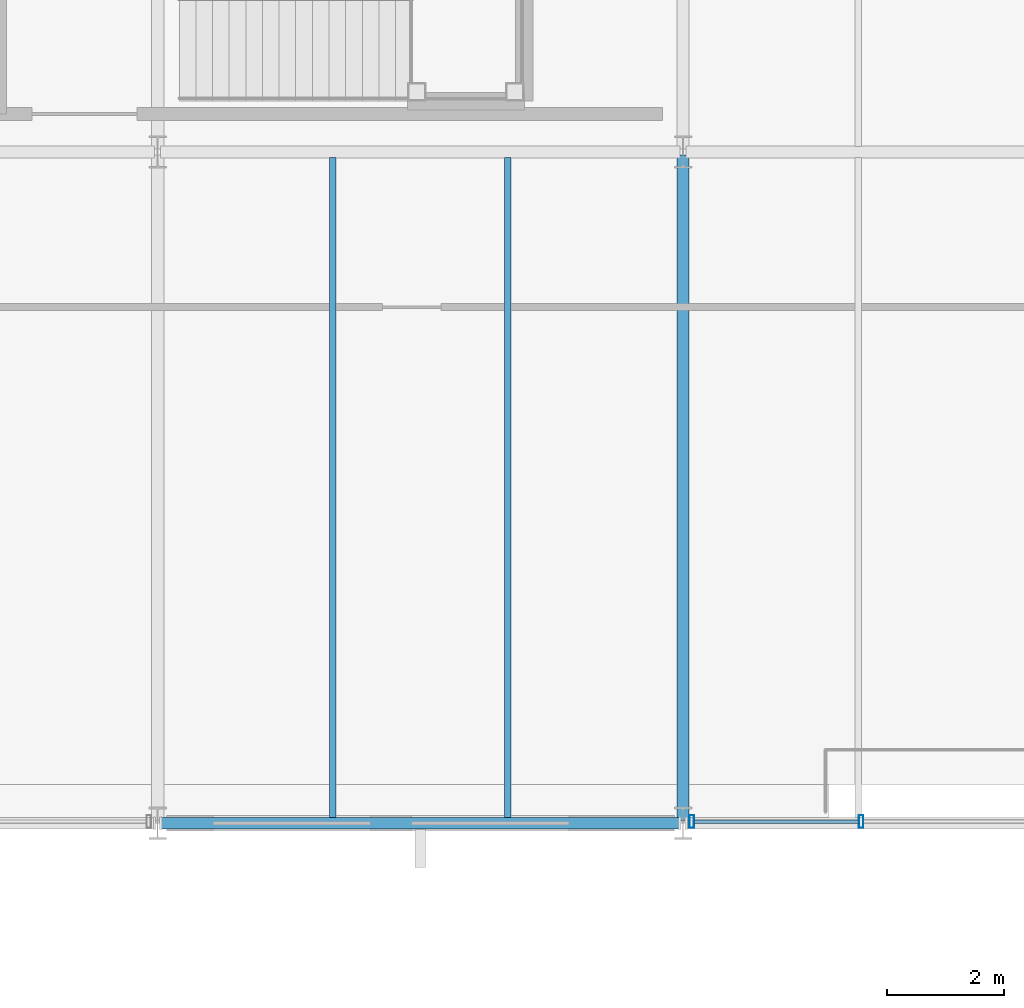
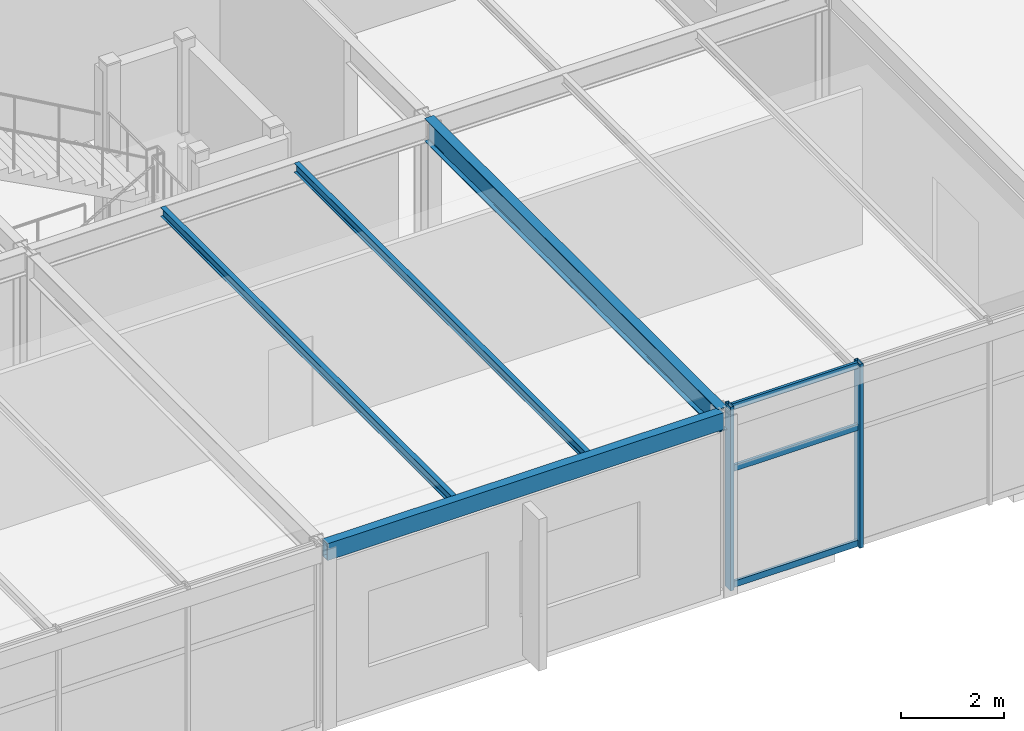
# One storey, part 11 of 44: 5 members, 4 beams, 1 element without a shape of its own.
"""IFC4 building model written with IfcOpenShell, lengths in metres."""

import ifcopenshell
import ifcopenshell.guid

model = None  # the IFC model being written
_history = None  # IfcOwnerHistory: only IFC2X3 demands one
_inside = {}  # id of a spatial element -> (the spatial element, [elements in it])
_under = {}  # id of a project, library or spatial element -> (it, [spatial elements below it])
_declared = {}  # id of a project -> (the project, [libraries it declares])
_typed = {}  # id of a type object -> (the type object, [elements of that type])
_made_of = {}  # id of a material, layer set ... -> (it, [elements and type objects made of it])


def new_model(schema):
    """Start an empty IFC model of exactly this schema.

    Asked for "IFC4X3", IfcOpenShell would pick the latest addendum, in which some entities
    have other attributes; the version numbers below select the first issue.
    IFC2X3 requires an IfcOwnerHistory on every rooted entity: one is made here for all.
    """
    global model, _history
    if schema == "IFC4X3":
        model = ifcopenshell.file(schema_version=(4, 3, 0, 0))
    else:
        model = ifcopenshell.file(schema=schema)
    _inside.clear()
    _under.clear()
    _declared.clear()
    _typed.clear()
    _made_of.clear()
    _history = None
    if model.schema == "IFC2X3":
        org = make("IfcOrganization", Name="unknown")
        user = make(
            "IfcPersonAndOrganization",
            ThePerson=make("IfcPerson", FamilyName="unknown"),
            TheOrganization=org,
        )
        app = make(
            "IfcApplication",
            ApplicationDeveloper=org,
            Version="unknown",
            ApplicationFullName="unknown",
            ApplicationIdentifier="unknown",
        )
        _history = make(
            "IfcOwnerHistory",
            OwningUser=user,
            OwningApplication=app,
            ChangeAction="ADDED",
            CreationDate=0,
        )
    return model


def make(cls, **values):
    """One entity of the class cls with the attributes given. An attribute that is None is left unset."""
    return model.create_entity(
        cls, **{name: value for name, value in values.items() if value is not None}
    )


def rooted(cls, **values):
    """An entity with a GlobalId (a new one), such as an element, a storey or a relation."""
    return make(cls, GlobalId=ifcopenshell.guid.new(), OwnerHistory=_history, **values)


def si_unit(unit_type, name, prefix=None):
    """IfcSIUnit, for example si_unit("LENGTHUNIT", "METRE", prefix="MILLI")."""
    return make("IfcSIUnit", UnitType=unit_type, Prefix=prefix, Name=name)


def assignment(units):
    """IfcUnitAssignment: the units of a project."""
    return None if units is None else make("IfcUnitAssignment", Units=units)


def point(xyz):
    """IfcCartesianPoint."""
    return None if xyz is None else make("IfcCartesianPoint", Coordinates=xyz)


def direction(xyz):
    """IfcDirection."""
    return None if xyz is None else make("IfcDirection", DirectionRatios=xyz)


def frame(location, z_axis=None, x_axis=None):
    """IfcAxis2Placement3D, a coordinate frame: its origin and axes. An axis left out is left unset."""
    return make(
        "IfcAxis2Placement3D",
        Location=point(location),
        Axis=direction(z_axis),
        RefDirection=direction(x_axis),
    )


def frame_2d(location, x_axis=None):
    """IfcAxis2Placement2D, a coordinate frame in the plane: its origin and x axis."""
    return make(
        "IfcAxis2Placement2D", Location=point(location), RefDirection=direction(x_axis)
    )


def origin():
    """The frame at (0, 0, 0) with its axes left unset."""
    return frame((0.0, 0.0, 0.0))


def origin_2d():
    """The frame at (0, 0) in the plane with its x axis left unset."""
    return frame_2d((0.0, 0.0))


def place(relative_to, where):
    """IfcLocalPlacement: puts the frame where relative to a parent placement (None: the world)."""
    return make(
        "IfcLocalPlacement", PlacementRelTo=relative_to, RelativePlacement=where
    )


def context(
    kind, dimensions, precision=None, world=None, true_north=None, identifier=None
):
    """IfcGeometricRepresentationContext, for example the 3D "Model" context."""
    return make(
        "IfcGeometricRepresentationContext",
        ContextIdentifier=identifier,
        ContextType=kind,
        CoordinateSpaceDimension=dimensions,
        Precision=precision,
        WorldCoordinateSystem=world,
        TrueNorth=true_north,
    )


def subcontext(parent, identifier, kind, view, scale=None):
    """IfcGeometricRepresentationSubContext, for example "Body" below "Model"."""
    return make(
        "IfcGeometricRepresentationSubContext",
        ContextIdentifier=identifier,
        ContextType=kind,
        ParentContext=parent,
        TargetScale=scale,
        TargetView=view,
    )


def project(units=None, contexts=None):
    """IfcProject with its units and contexts."""
    return rooted(
        "IfcProject",
        Name="project",
        RepresentationContexts=contexts,
        UnitsInContext=assignment(units),
    )


def spatial(cls, under=None, at=None, **own):
    """A site, building, storey or space (cls), placed at a placement, below another one or the project."""
    s = rooted(cls, ObjectPlacement=at, **own)
    if under is not None:
        _under.setdefault(under.id(), (under, []))[1].append(s)
    return s


def profile(cls, at=None, kind="AREA", **sizes):
    """A parametric profile (cls). Its sizes go by their IFC names, for example OverallWidth=200.0."""
    return make(cls, ProfileType=kind, Position=at, **sizes)


def hollow_rectangle(**sizes):
    """IfcRectangleHollowProfileDef."""
    return profile("IfcRectangleHollowProfileDef", **sizes)


def i_section(**sizes):
    """IfcIShapeProfileDef."""
    return profile("IfcIShapeProfileDef", **sizes)


def extrude(swept, where, along, depth):
    """IfcExtrudedAreaSolid: the profile swept, set in the frame where, extruded along a direction by depth."""
    return make(
        "IfcExtrudedAreaSolid",
        SweptArea=swept,
        Position=where,
        ExtrudedDirection=direction(along),
        Depth=depth,
    )


def shape(context_of_items, identifier, shape_type, items):
    """IfcShapeRepresentation: the items that make up one representation, for example the "Body"."""
    return make(
        "IfcShapeRepresentation",
        ContextOfItems=context_of_items,
        RepresentationIdentifier=identifier,
        RepresentationType=shape_type,
        Items=items,
    )


def material(Name=None, Category=None):
    """IfcMaterial."""
    return make("IfcMaterial", Name=Name, Category=Category)


def layer(
    of_material, thickness, ventilated=None, Name=None, Category=None, Priority=None
):
    """IfcMaterialLayer: one layer of a wall or slab, of a material (None: an air gap)."""
    return make(
        "IfcMaterialLayer",
        Material=of_material,
        LayerThickness=thickness,
        IsVentilated=ventilated,
        Name=Name,
        Category=Category,
        Priority=Priority,
    )


def layer_set(layers, Name=None):
    """IfcMaterialLayerSet."""
    return make("IfcMaterialLayerSet", MaterialLayers=layers, LayerSetName=Name)


def material_profile(
    of_material, cross_section, Name=None, Category=None, Priority=None
):
    """IfcMaterialProfile: a cross section and its material."""
    return make(
        "IfcMaterialProfile",
        Name=Name,
        Material=of_material,
        Profile=cross_section,
        Priority=Priority,
        Category=Category,
    )


def profile_set(profiles, Name=None, composite=None):
    """IfcMaterialProfileSet."""
    return make(
        "IfcMaterialProfileSet",
        Name=Name,
        MaterialProfiles=profiles,
        CompositeProfile=composite,
    )


def made_of(thing, what):
    """Note that an element or type object is made of a material, layer set ...; save() writes the relation."""
    if what is not None:
        _made_of.setdefault(what.id(), (what, []))[1].append(thing)
    return thing


def type_object(cls, material=None, **own):
    """A type object (cls), such as IfcWallType, which elements share."""
    return made_of(rooted(cls, **own), material)


def element(
    cls,
    number,
    at=None,
    inside=None,
    cuts=None,
    type_object=None,
    material=None,
    context=None,
    identifier="Body",
    shape_type=None,
    held_by="IfcProductDefinitionShape",
    body=None,
    shapes=None,
    **own,
):
    """One element of the class cls, such as IfcWall. Its Tag is "e" and its number.

    at: its placement. inside: the storey or other place that contains it. cuts: it is an
    opening in that element (IfcRelVoidsElement). A single representation is given by context,
    identifier, shape_type and body (its items); several are given by shapes. held_by: the class
    of the entity that holds the representations. save() writes the other relations.
    """
    e = rooted(cls, Tag="e%d" % number, ObjectPlacement=at, **own)
    if body is not None:
        shapes = [shape(context, identifier, shape_type, body)]
    if shapes is not None:
        e.Representation = make(held_by, Representations=shapes)
    if inside is not None:
        _inside.setdefault(inside.id(), (inside, []))[1].append(e)
    if cuts is not None:
        rooted(
            "IfcRelVoidsElement", RelatingBuildingElement=cuts, RelatedOpeningElement=e
        )
    if type_object is not None:
        _typed.setdefault(type_object.id(), (type_object, []))[1].append(e)
    return made_of(e, material)


def aggregate(whole, parts):
    """IfcRelAggregates: a whole, such as a stair, and the parts it consists of."""
    return rooted("IfcRelAggregates", RelatingObject=whole, RelatedObjects=parts)


def save(model, path):
    """Write the relations noted so far, then the file.

    IfcRelAggregates (storeys below a building ...), IfcRelContainedInSpatialStructure (elements
    in a storey), IfcRelDefinesByType, IfcRelAssociatesMaterial and IfcRelDeclares: one each for
    every whole, place, type object, material and project.
    """
    for whole, parts in _under.values():
        aggregate(whole, parts)
    for where, things in _inside.values():
        rooted(
            "IfcRelContainedInSpatialStructure",
            RelatedElements=things,
            RelatingStructure=where,
        )
    for kind, things in _typed.values():
        rooted("IfcRelDefinesByType", RelatedObjects=things, RelatingType=kind)
    for what, things in _made_of.values():
        rooted("IfcRelAssociatesMaterial", RelatedObjects=things, RelatingMaterial=what)
    for by, libraries in _declared.values():
        rooted("IfcRelDeclares", RelatingContext=by, RelatedDefinitions=libraries)
    model.write(path)


model = new_model("IFC4")

# Units and contexts
model_context = context("Model", 3, precision=1e-05, world=origin(), true_north=direction((0.0, 1.0)))
body_context = subcontext(model_context, "Body", "Model", "MODEL_VIEW")
ifc_project = project(units=[si_unit("LENGTHUNIT", "METRE"), si_unit("AREAUNIT", "SQUARE_METRE"), si_unit("VOLUMEUNIT", "CUBIC_METRE"), si_unit("PLANEANGLEUNIT", "RADIAN"), si_unit("MASSUNIT", "GRAM", prefix="KILO")], contexts=[model_context])

# Site, building, storey
site_placement = place(None, origin())
site = spatial("IfcSite", under=ifc_project, at=site_placement, CompositionType="ELEMENT")
building_placement = place(site_placement, origin())
building = spatial("IfcBuilding", under=site, at=building_placement, Name="Marlcrest Central Station", CompositionType="ELEMENT")
storey_placement = place(building_placement, frame((0.0, 0.0, 19.5)))
storey = spatial("IfcBuildingStorey", under=building, at=storey_placement, Name="L04", CompositionType="ELEMENT", Elevation=19.5)

# Beams
ifc_material_1 = material(Name="Steel S355", Category="steel")
ifc_material_profile_1 = material_profile(ifc_material_1, i_section(OverallWidth=0.2099609375, OverallDepth=0.550048828125, WebThickness=0.010986328125, FlangeThickness=0.01708984375, FilletRadius=0.02392578125, at=origin_2d()), Name="IPE 550")
ifc_profile_set_1 = profile_set([ifc_material_profile_1], Name="Steel S355")
beam_type_1 = type_object("IfcBeamType", Name="BM-06", PredefinedType="BEAM", material=ifc_profile_set_1)
beam_1_placement = place(storey_placement, frame((54.0, 99.050048828125, 4.0), z_axis=(0.0, 1.0, 0.0), x_axis=(-1.0, 0.0, 0.0)))
element("IfcBeam", 1, at=beam_1_placement, inside=storey, type_object=beam_type_1, Name="bm-BM-06-L04-00621", PredefinedType="BEAM", context=body_context, shape_type="SweptSolid", body=[
    extrude(i_section(OverallWidth=0.2099609375, OverallDepth=0.550048828125, WebThickness=0.010986328125, FlangeThickness=0.01708984375, FilletRadius=0.02392578125, at=origin_2d()), origin(), (0.0, 0.0, 1.0), 11.39990234375),
])
ifc_material_profile_2 = material_profile(ifc_material_1, i_section(OverallWidth=0.110107421875, OverallDepth=0.219970703125, WebThickness=0.005859375, FlangeThickness=0.00927734375, FilletRadius=0.011962890625, at=origin_2d()), Name="IPE 220")
ifc_profile_set_2 = profile_set([ifc_material_profile_2], Name="Steel S355")
beam_type_2 = type_object("IfcBeamType", Name="JS-02", PredefinedType="JOIST", material=ifc_profile_set_2)
for number, where, z_axis, x_axis, name in (
    (2, (48.0, 99.094970703125, 4.1650390625), (0.0, 1.0, 0.0), (-1.0, 0.0, 0.0), "bm-JS-02-L04-00657"),
    (3, (51.0, 99.094970703125, 4.1650390625), (0.0, 1.0, 0.0), (-1.0, 0.0, 0.0), "bm-JS-02-L04-00660"),
):
    element("IfcBeam", number, at=place(storey_placement, frame(where, z_axis=z_axis, x_axis=x_axis)), inside=storey, type_object=beam_type_2, Name=name, PredefinedType="JOIST", context=body_context, shape_type="SweptSolid", body=[
        extrude(i_section(OverallWidth=0.110107421875, OverallDepth=0.219970703125, WebThickness=0.005859375, FlangeThickness=0.00927734375, FilletRadius=0.011962890625, at=origin_2d()), origin(), (0.0, 0.0, 1.0), 11.31005859375),
    ])

# Curtain wall, members
ifc_material_2 = material(Name="Anodised aluminium and hurricane laminated glass", Category="aluminium")
ifc_layer = layer(ifc_material_2, 0.219970703125, Name="CW-U1")
ifc_layer_set = layer_set([ifc_layer], Name="Anodised aluminium and hurricane laminated glass")
curtain_wall_type = type_object("IfcCurtainWallType", Name="CW-U1", PredefinedType="USERDEFINED", material=ifc_layer_set)
curtain_wall_placement = place(storey_placement, origin())
curtain_wall = element("IfcCurtainWall", 4, at=curtain_wall_placement, inside=storey, type_object=curtain_wall_type, Name="cw-L04-0170", ObjectType="UNITISED_CURTAIN_WALL", PredefinedType="USERDEFINED")
ifc_material_3 = material(Name="Anodised aluminium 6063-T6", Category="aluminium")
ifc_material_profile_3 = material_profile(ifc_material_3, hollow_rectangle(XDim=0.080078125, YDim=0.219970703125, WallThickness=0.006103515625, at=origin_2d()), Name="AA-RHS 220x80x6")
ifc_profile_set_3 = profile_set([ifc_material_profile_3], Name="Anodised aluminium 6063-T6")
member_type_1 = type_object("IfcMemberType", Name="ML-01", PredefinedType="MULLION", material=ifc_profile_set_3)
member_1_placement = place(storey_placement, frame((57.050048828125, 99.030029296875, -0.030029296875), z_axis=(0.0, 0.0, 1.0), x_axis=(1.0, 0.0, 0.0)))
member_1 = element("IfcMember", 5, at=member_1_placement, type_object=member_type_1, Name="cw-L04-0170-ml-2", PredefinedType="MULLION", context=body_context, shape_type="SweptSolid", body=[
    extrude(hollow_rectangle(XDim=0.080078125, YDim=0.219970703125, WallThickness=0.006103515625, at=origin_2d()), origin(), (0.0, 0.0, 1.0), 4.360107421875),
])
member_2_placement = place(storey_placement, frame((54.14990234375, 99.030029296875, -0.030029296875), z_axis=(0.0, 0.0, 1.0), x_axis=(1.0, 0.0, 0.0)))
member_2 = element("IfcMember", 6, at=member_2_placement, type_object=member_type_1, Name="cw-L04-0170-ml-3", PredefinedType="MULLION", context=body_context, shape_type="SweptSolid", body=[
    extrude(hollow_rectangle(XDim=0.080078125, YDim=0.219970703125, WallThickness=0.006103515625, at=origin_2d()), origin(), (0.0, 0.0, 1.0), 4.360107421875),
])

# Beam
ifc_material_profile_4 = material_profile(ifc_material_1, hollow_rectangle(XDim=0.199951171875, YDim=0.39990234375, WallThickness=0.01611328125, at=origin_2d()), Name="RHS 400x200x16")
ifc_profile_set_4 = profile_set([ifc_material_profile_4], Name="Steel S355")
beam_type_3 = type_object("IfcBeamType", Name="SP-01", PredefinedType="SPANDREL", material=ifc_profile_set_4)
beam_2_placement = place(storey_placement, frame((45.050048828125, 99.0, 4.074951171875), z_axis=(1.0, 0.0, 0.0), x_axis=(0.0, 1.0, 0.0)))
element("IfcBeam", 7, at=beam_2_placement, inside=storey, type_object=beam_type_3, Name="bm-SP-01-L04-00580", PredefinedType="SPANDREL", context=body_context, shape_type="SweptSolid", body=[
    extrude(hollow_rectangle(XDim=0.199951171875, YDim=0.39990234375, WallThickness=0.01611328125, at=origin_2d()), origin(), (0.0, 0.0, 1.0), 8.89990234375),
])

# Member
ifc_material_profile_5 = material_profile(ifc_material_3, hollow_rectangle(XDim=0.06005859375, YDim=0.14990234375, WallThickness=0.00390625, at=origin_2d()), Name="AA-RHS 150x60x4")
ifc_profile_set_5 = profile_set([ifc_material_profile_5], Name="Anodised aluminium 6063-T6")
member_type_2 = type_object("IfcMemberType", Name="TR-01", PredefinedType="USERDEFINED", material=ifc_profile_set_5)
member_3_placement = place(storey_placement, frame((57.011962890625, 99.030029296875, 0.0400390625), z_axis=(-1.0, 0.0, 0.0), x_axis=(0.0, -1.0, 0.0)))
member_3 = element("IfcMember", 8, at=member_3_placement, type_object=member_type_2, Name="cw-L04-0170-tr-2-sill", ObjectType="TRANSOM", PredefinedType="USERDEFINED", context=body_context, shape_type="SweptSolid", body=[
    extrude(hollow_rectangle(XDim=0.06005859375, YDim=0.14990234375, WallThickness=0.00390625, at=origin_2d()), origin(), (0.0, 0.0, 1.0), 2.823974609375),
])

member_4_placement = place(storey_placement, frame((57.011962890625, 99.030029296875, 2.794921875), z_axis=(-1.0, 0.0, 0.0), x_axis=(0.0, -1.0, 0.0)))
member_4 = element("IfcMember", 9, at=member_4_placement, type_object=member_type_2, Name="cw-L04-0170-tr-2-mid", ObjectType="TRANSOM", PredefinedType="USERDEFINED", context=body_context, shape_type="SweptSolid", body=[
    extrude(hollow_rectangle(XDim=0.06005859375, YDim=0.14990234375, WallThickness=0.00390625, at=origin_2d()), origin(), (0.0, 0.0, 1.0), 2.823974609375),
])

member_5_placement = place(storey_placement, frame((57.011962890625, 99.030029296875, 4.260009765625), z_axis=(-1.0, 0.0, 0.0), x_axis=(0.0, -1.0, 0.0)))
member_5 = element("IfcMember", 10, at=member_5_placement, type_object=member_type_2, Name="cw-L04-0170-tr-2-head", ObjectType="TRANSOM", PredefinedType="USERDEFINED", context=body_context, shape_type="SweptSolid", body=[
    extrude(hollow_rectangle(XDim=0.06005859375, YDim=0.14990234375, WallThickness=0.00390625, at=origin_2d()), origin(), (0.0, 0.0, 1.0), 2.823974609375),
])

aggregate(curtain_wall, [member_1, member_2, member_3, member_4, member_5])

save(model, "model.ifc")
